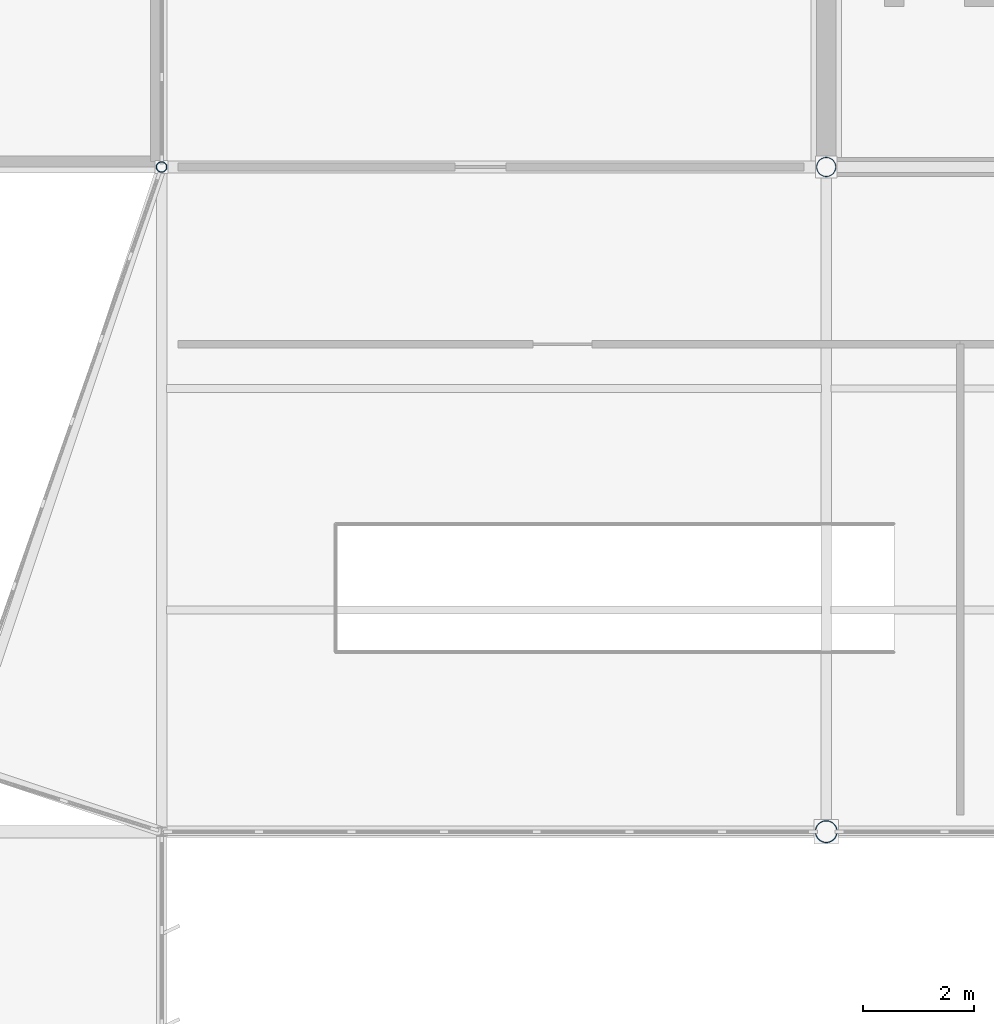
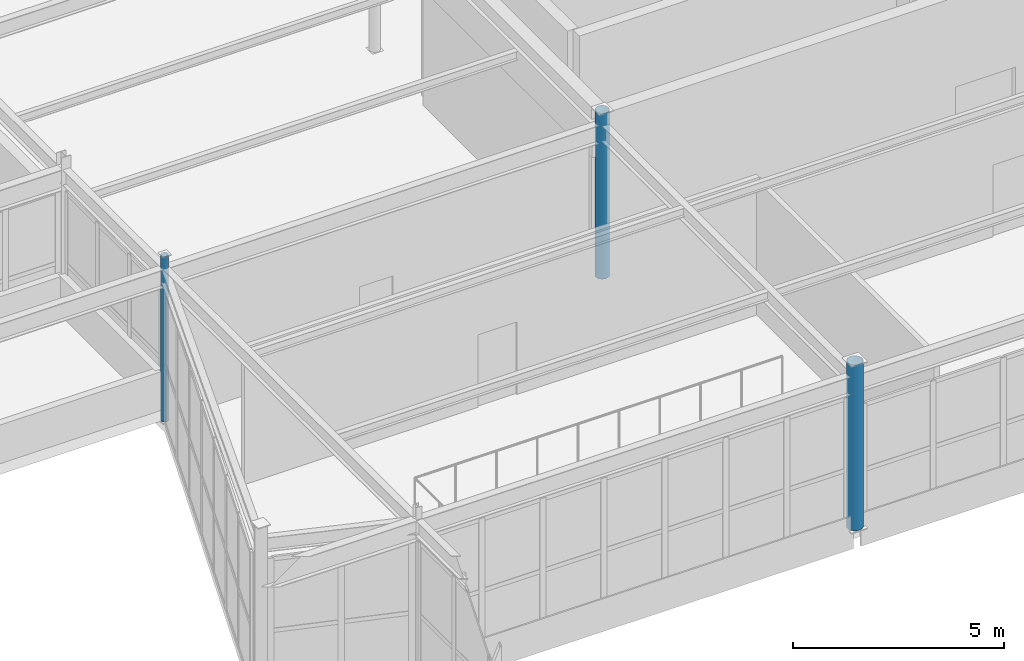
# One storey, part 52 of 226: 3 columns.
"""IFC4 building model written with IfcOpenShell, lengths in metres."""

from ifc_helpers import new_model, si_unit, direction, frame, origin, origin_2d, place, context, subcontext, project, spatial, hollow_circle, extrude, material, material_profile, profile_set, type_object, element, save


model = new_model("IFC4")

# Units and contexts
model_context = context("Model", 3, precision=1e-05, world=origin(), true_north=direction((0.0, 1.0)))
body_context = subcontext(model_context, "Body", "Model", "MODEL_VIEW")
ifc_project = project(units=[si_unit("LENGTHUNIT", "METRE"), si_unit("AREAUNIT", "SQUARE_METRE"), si_unit("VOLUMEUNIT", "CUBIC_METRE"), si_unit("PLANEANGLEUNIT", "RADIAN"), si_unit("MASSUNIT", "GRAM", prefix="KILO")], contexts=[model_context])

# Site, building, storey
site_placement = place(None, origin())
site = spatial("IfcSite", under=ifc_project, at=site_placement, CompositionType="ELEMENT")
building_placement = place(site_placement, origin())
building = spatial("IfcBuilding", under=site, at=building_placement, Name="Tarnwether General Hospital", CompositionType="ELEMENT")
storey_placement = place(building_placement, frame((0.0, 0.0, 4.800048828125)))
storey = spatial("IfcBuildingStorey", under=building, at=storey_placement, Name="L01", CompositionType="ELEMENT", Elevation=4.800048828125)

# Columns
ifc_material_1 = material(Name="Steel Grade C350L0 (350 MPa)", Category="steel")
ifc_material_profile_1 = material_profile(ifc_material_1, hollow_circle(Radius=0.203125, WallThickness=0.01611328125, at=origin_2d()), Name="CHS406.4x16.0")
ifc_profile_set_1 = profile_set([ifc_material_profile_1], Name="Steel Grade C350L0 (350 MPa)")
column_type_1 = type_object("IfcColumnType", Name="COL-10", PredefinedType="COLUMN", material=ifc_profile_set_1)
column_1_placement = place(storey_placement, frame((156.0, 81.60009765625, 0.0), z_axis=(0.0, 0.0, 1.0), x_axis=(0.0, 1.0, 0.0)))
element("IfcColumn", 1, at=column_1_placement, inside=storey, type_object=column_type_1, Name="Column COLG-L01-15600_8160", PredefinedType="COLUMN", context=body_context, shape_type="SweptSolid", body=[
    extrude(hollow_circle(Radius=0.203125, WallThickness=0.01611328125, at=origin_2d()), origin(), (0.0, 0.0, 1.0), 4.800048828125),
])
ifc_material_2 = material(Name="Steel Grade C350L0 (350 MPa)", Category="steel")
ifc_material_profile_2 = material_profile(ifc_material_2, hollow_circle(Radius=0.177734375, WallThickness=0.0126953125, at=origin_2d()), Name="CHS355.6x12.7")
ifc_profile_set_2 = profile_set([ifc_material_profile_2], Name="Steel Grade C350L0 (350 MPa)")
column_type_2 = type_object("IfcColumnType", Name="COL-11", PredefinedType="COLUMN", material=ifc_profile_set_2)
column_2_placement = place(storey_placement, frame((156.0, 93.60009765625, 0.0), z_axis=(0.0, 0.0, 1.0), x_axis=(0.0, 1.0, 0.0)))
element("IfcColumn", 2, at=column_2_placement, inside=storey, type_object=column_type_2, Name="Column COLG-L01-15600_9360", PredefinedType="COLUMN", context=body_context, shape_type="SweptSolid", body=[
    extrude(hollow_circle(Radius=0.177734375, WallThickness=0.0126953125, at=origin_2d()), origin(), (0.0, 0.0, 1.0), 4.800048828125),
])
ifc_material_3 = material(Name="Steel Grade C350L0 (350 MPa)", Category="steel")
ifc_material_profile_3 = material_profile(ifc_material_3, hollow_circle(Radius=0.096923828125, WallThickness=0.008056640625, at=origin_2d()), Name="CHS193.7x8.0")
ifc_profile_set_3 = profile_set([ifc_material_profile_3], Name="Steel Grade C350L0 (350 MPa)")
column_type_3 = type_object("IfcColumnType", Name="COL-29", PredefinedType="COLUMN", material=ifc_profile_set_3)
column_3_placement = place(storey_placement, frame((144.0, 93.60009765625, 0.0), z_axis=(0.0, 0.0, 1.0), x_axis=(1.0, 0.0, 0.0)))
element("IfcColumn", 3, at=column_3_placement, inside=storey, type_object=column_type_3, Name="Column COLG-L01-14400_9360", PredefinedType="COLUMN", context=body_context, shape_type="SweptSolid", body=[
    extrude(hollow_circle(Radius=0.096923828125, WallThickness=0.008056640625, at=origin_2d()), origin(), (0.0, 0.0, 1.0), 4.800048828125),
])

save(model, "model.ifc")
